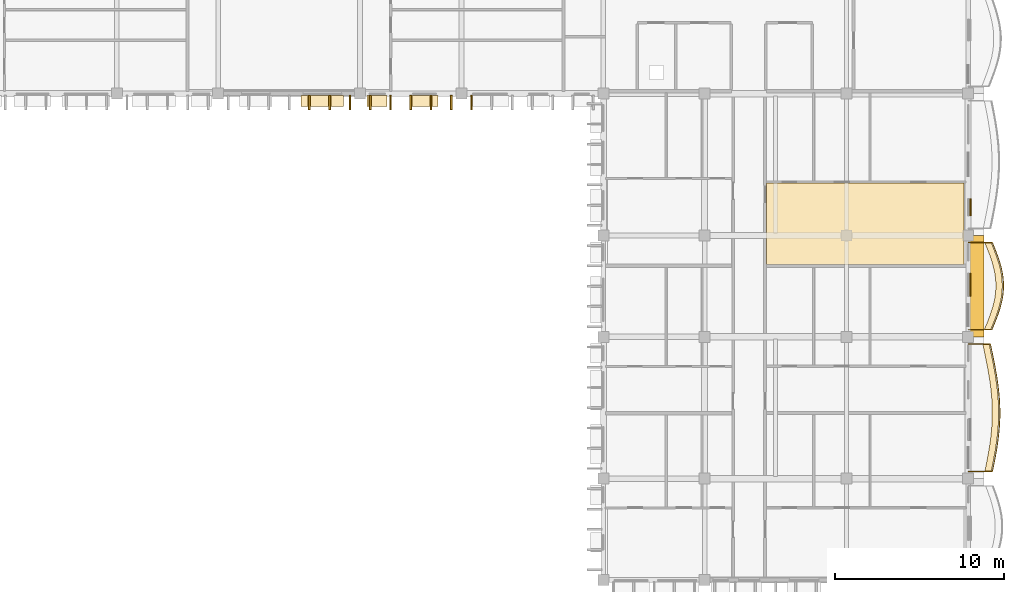
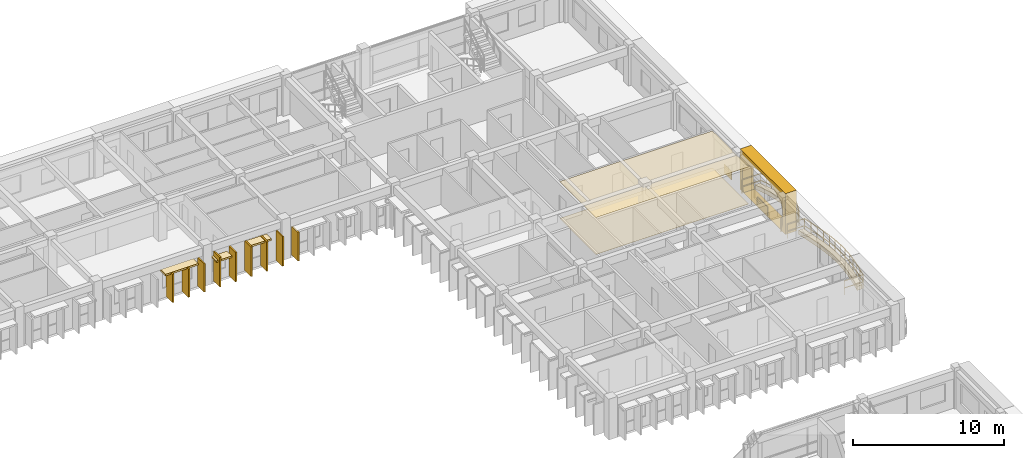
# One storey, part 97 of 101: 19 coverings, 2 railings.
"""IFC4 building model written with IfcOpenShell, lengths in metres."""

from ifc_helpers import new_model, si_unit, direction, frame, origin, origin_2d, place, context, subcontext, project, spatial, polyline, rectangle, outline, extrude, material, layer, layer_set, type_object, element, save


model = new_model("IFC4")

# Units and contexts
model_context = context("Model", 3, precision=1e-05, world=origin(), true_north=direction((0.0, 1.0)))
body_context = subcontext(model_context, "Body", "Model", "MODEL_VIEW")
ifc_project = project(units=[si_unit("LENGTHUNIT", "METRE"), si_unit("AREAUNIT", "SQUARE_METRE"), si_unit("VOLUMEUNIT", "CUBIC_METRE"), si_unit("PLANEANGLEUNIT", "RADIAN"), si_unit("MASSUNIT", "GRAM", prefix="KILO"), si_unit("THERMODYNAMICTEMPERATUREUNIT", "KELVIN")], contexts=[model_context])

# Site, building, storey
site_placement = place(None, origin())
site = spatial("IfcSite", under=ifc_project, at=site_placement, CompositionType="ELEMENT")
building_placement = place(site_placement, origin())
building = spatial("IfcBuilding", under=site, at=building_placement, Name="Thalorik Housing Commons", CompositionType="ELEMENT")
storey_placement = place(building_placement, frame((0.0, 0.0, 8.10009765625)))
storey = spatial("IfcBuildingStorey", under=building, at=storey_placement, Name="L02", CompositionType="ELEMENT", Elevation=8.10009765625)

# Coverings
ifc_material_1 = material(Name="Cobalt blue glazed ceramic facade tile panel", Category="masonry")
ifc_layer_1 = layer(ifc_material_1, 0.06005859375, Name="Cobalt blue glazed ceramic facade tile panel", Category="masonry")
ifc_layer_set_1 = layer_set([ifc_layer_1], Name="Cobalt blue glazed ceramic facade tile panel")
covering_type_1 = type_object("IfcCoveringType", Name="ARC-CLD-BLU-60", PredefinedType="CLADDING", material=ifc_layer_set_1)
covering_1_placement = place(storey_placement, frame((174.137451171875, 97.885009765625, 0.0498046875), z_axis=(0.0, 0.0, 1.0), x_axis=(0.0, 1.0, 0.0)))
element("IfcCovering", 1, at=covering_1_placement, inside=storey, type_object=covering_type_1, Name="L02 De Stijl Recessed Window Spandrel 1845", PredefinedType="CLADDING", context=body_context, shape_type="SweptSolid", body=[
    extrude(rectangle(XDim=1.3798828125, YDim=0.06005859375, at=origin_2d()), origin(), (0.0, 0.0, 1.0), 0.699951171875),
])
ifc_material_2 = material(Name="Precast concrete C40/50", Category="concrete")
ifc_layer_2 = layer(ifc_material_2, 0.85009765625, Name="Precast concrete C40/50", Category="concrete")
ifc_layer_set_2 = layer_set([ifc_layer_2], Name="Precast concrete C40/50")
covering_type_2 = type_object("IfcCoveringType", Name="ARC-CLD-CUSH-850", PredefinedType="CLADDING", material=ifc_layer_set_2)
covering_2_placement = place(storey_placement, frame((174.527587890625, 97.800048828125, 0.0), z_axis=(0.0, 0.0, 1.0), x_axis=(0.0, 1.0, 0.0)))
element("IfcCovering", 2, at=covering_2_placement, inside=storey, type_object=covering_type_2, Name="L02 White Precast Curved Cushion Bay Frame 1844", PredefinedType="CLADDING", context=body_context, shape_type="SweptSolid", body=[
    extrude(outline(polyline([(-3.0, 0.0), (3.0, 0.0), (3.0, 3.300048828125), (-3.0, 3.300048828125), (-3.0, 0.0)]), holes=[polyline([(2.554931640625, 0.02490234375), (2.64892578125, 0.404296875), (2.705322265625, 0.783203125), (2.72412109375, 1.16259765625), (2.705322265625, 1.541748046875), (2.64892578125, 1.9208984375), (2.554931640625, 2.300048828125), (2.1396484375, 2.525390625), (1.72412109375, 2.7021484375), (1.30859375, 2.845458984375), (0.893310546875, 2.951904296875), (0.477783203125, 3.017822265625), (0.0625, 3.0400390625), (-0.352783203125, 3.017822265625), (-0.768310546875, 2.951904296875), (-1.18359375, 2.845458984375), (-1.59912109375, 2.7021484375), (-2.0146484375, 2.525390625), (-2.429931640625, 2.300048828125), (-2.55029296875, 1.9208984375), (-2.62255859375, 1.541748046875), (-2.646484375, 1.16259765625), (-2.62255859375, 0.783203125), (-2.55029296875, 0.404296875), (-2.429931640625, 0.02490234375), (2.554931640625, 0.02490234375)])]), frame((0.0, 0.425048828125, 0.0), z_axis=(0.0, -1.0, 0.0), x_axis=(1.0, 0.0, 0.0)), (0.0, 0.0, 1.0), 0.85009765625),
])
ifc_layer_3 = layer(ifc_material_2, 0.85009765625, Name="Precast concrete C40/50", Category="concrete")
ifc_layer_set_3 = layer_set([ifc_layer_3], Name="Precast concrete C40/50")
covering_type_3 = type_object("IfcCoveringType", Name="ARC-CLD-FIN-850", PredefinedType="CLADDING", material=ifc_layer_set_3)
for number, where, z_axis, x_axis, name in (
    (3, (135.0, 108.672607421875, 0.0400390625), (0.0, 0.0, 1.0), (1.0, 0.0, 0.0), "L02 Courtyard Precast Vertical Brise-Soleil Fin 1759"),
    (4, (136.199951171875, 108.672607421875, 0.0400390625), (0.0, 0.0, 1.0), (1.0, 0.0, 0.0), "L02 Courtyard Precast Vertical Brise-Soleil Fin 1760"),
    (5, (137.39990234375, 108.672607421875, 0.0400390625), (0.0, 0.0, 1.0), (1.0, 0.0, 0.0), "L02 Courtyard Precast Vertical Brise-Soleil Fin 1761"),
):
    element("IfcCovering", number, at=place(storey_placement, frame(where, z_axis=z_axis, x_axis=x_axis)), inside=storey, type_object=covering_type_3, Name=name, PredefinedType="CLADDING", context=body_context, shape_type="SweptSolid", body=[
        extrude(rectangle(XDim=0.110107421875, YDim=0.85009765625, at=origin_2d()), origin(), (0.0, 0.0, 1.0), 2.294921875),
    ])
for number, where, z_axis, x_axis, name in (
    (6, (138.60009765625, 108.672607421875, 0.039794921875), (0.0, 0.0, 1.0), (1.0, 0.0, 0.0), "L02 Courtyard Precast Vertical Brise-Soleil Fin 1764"),
    (7, (139.800048828125, 108.672607421875, 0.039794921875), (0.0, 0.0, 1.0), (1.0, 0.0, 0.0), "L02 Courtyard Precast Vertical Brise-Soleil Fin 1765"),
    (8, (141.0, 108.672607421875, 0.039794921875), (0.0, 0.0, 1.0), (1.0, 0.0, 0.0), "L02 Courtyard Precast Vertical Brise-Soleil Fin 1766"),
    (9, (142.199951171875, 108.672607421875, 0.039794921875), (0.0, 0.0, 1.0), (1.0, 0.0, 0.0), "L02 Courtyard Precast Vertical Brise-Soleil Fin 1767"),
    (10, (143.39990234375, 108.672607421875, 0.039794921875), (0.0, 0.0, 1.0), (1.0, 0.0, 0.0), "L02 Courtyard Precast Vertical Brise-Soleil Fin 1768"),
):
    element("IfcCovering", number, at=place(storey_placement, frame(where, z_axis=z_axis, x_axis=x_axis)), inside=storey, type_object=covering_type_3, Name=name, PredefinedType="CLADDING", context=body_context, shape_type="SweptSolid", body=[
        extrude(rectangle(XDim=0.110107421875, YDim=0.85009765625, at=origin_2d()), origin(), (0.0, 0.0, 1.0), 2.39501953125),
    ])
covering_3_placement = place(storey_placement, frame((144.60009765625, 108.672607421875, 0.0400390625), z_axis=(0.0, 0.0, 1.0), x_axis=(1.0, 0.0, 0.0)))
element("IfcCovering", 11, at=covering_3_placement, inside=storey, type_object=covering_type_3, Name="L02 Courtyard Precast Vertical Brise-Soleil Fin 1771", PredefinedType="CLADDING", context=body_context, shape_type="SweptSolid", body=[
    extrude(rectangle(XDim=0.110107421875, YDim=0.85009765625, at=origin_2d()), origin(), (0.0, 0.0, 1.0), 2.294921875),
])
ifc_layer_4 = layer(ifc_material_2, 0.64990234375, Name="Precast concrete C40/50", Category="concrete")
ifc_layer_set_4 = layer_set([ifc_layer_4], Name="Precast concrete C40/50")
covering_type_4 = type_object("IfcCoveringType", Name="ARC-CLD-HOOD-650", PredefinedType="CLADDING", material=ifc_layer_set_4)
covering_4_placement = place(storey_placement, frame((135.77001953125, 108.7724609375, 2.22509765625), z_axis=(0.0, 0.0, 1.0), x_axis=(1.0, 0.0, 0.0)))
element("IfcCovering", 12, at=covering_4_placement, inside=storey, type_object=covering_type_4, Name="L02 Courtyard Precast Window Sun-Hood 1763", PredefinedType="CLADDING", context=body_context, shape_type="SweptSolid", body=[
    extrude(rectangle(XDim=2.52001953125, YDim=0.64990234375, at=origin_2d()), origin(), (0.0, 0.0, 1.0), 0.139892578125),
])
covering_5_placement = place(storey_placement, frame((139.00244140625, 108.7724609375, 1.93994140625), z_axis=(0.0, 0.0, 1.0), x_axis=(1.0, 0.0, 0.0)))
element("IfcCovering", 13, at=covering_5_placement, inside=storey, type_object=covering_type_4, Name="L02 Courtyard Precast Window Sun-Hood 1769", PredefinedType="CLADDING", context=body_context, shape_type="SweptSolid", body=[
    extrude(rectangle(XDim=1.18994140625, YDim=0.64990234375, at=origin_2d()), origin(), (0.0, 0.0, 1.0), 0.139892578125),
])
covering_6_placement = place(storey_placement, frame((141.8125, 108.7724609375, 2.27001953125), z_axis=(0.0, 0.0, 1.0), x_axis=(1.0, 0.0, 0.0)))
element("IfcCovering", 14, at=covering_6_placement, inside=storey, type_object=covering_type_4, Name="L02 Courtyard Precast Window Sun-Hood 1770", PredefinedType="CLADDING", context=body_context, shape_type="SweptSolid", body=[
    extrude(rectangle(XDim=1.6201171875, YDim=0.64990234375, at=origin_2d()), origin(), (0.0, 0.0, 1.0), 0.139892578125),
])
ifc_material_3 = material(Name="Mineral ochre architectural terracotta panel", Category="masonry")
ifc_layer_5 = layer(ifc_material_3, 0.06494140625, Name="Mineral ochre architectural terracotta panel", Category="masonry")
ifc_layer_set_5 = layer_set([ifc_layer_5], Name="Mineral ochre architectural terracotta panel")
covering_type_5 = type_object("IfcCoveringType", Name="ARC-CLD-YEL-65", PredefinedType="CLADDING", material=ifc_layer_set_5)
covering_7_placement = place(storey_placement, frame((174.139892578125, 102.4765625, 0.0498046875), z_axis=(0.0, 0.0, 1.0), x_axis=(0.0, 1.0, 0.0)))
element("IfcCovering", 15, at=covering_7_placement, inside=storey, type_object=covering_type_5, Name="L02 De Stijl Recessed Window Spandrel 1847", PredefinedType="CLADDING", context=body_context, shape_type="SweptSolid", body=[
    extrude(rectangle(XDim=1.0, YDim=0.06494140625, at=origin_2d()), origin(), (0.0, 0.0, 1.0), 0.699951171875),
])
ifc_material_4 = material(Name="Perforated acoustic gypsum ceiling board")
ifc_layer_6 = layer(ifc_material_4, 0.014892578125, Name="Perforated acoustic gypsum ceiling board")
ifc_layer_set_6 = layer_set([ifc_layer_6], Name="Perforated acoustic gypsum ceiling board")
covering_type_6 = type_object("IfcCoveringType", Name="ARC-COV-CEIL-01", PredefinedType="CEILING", material=ifc_layer_set_6)
covering_8_placement = place(storey_placement, frame((0.0, 0.0, 2.98486328125)))
element("IfcCovering", 16, at=covering_8_placement, inside=storey, type_object=covering_type_6, Name="L02 Living Dining Room Suspended Ceiling", PredefinedType="CEILING", context=body_context, shape_type="SweptSolid", body=[
    extrude(outline(polyline([(173.760009765625, 103.893310546875), (162.06005859375, 103.893310546875), (162.06005859375, 99.080078125), (173.760009765625, 99.080078125), (173.760009765625, 103.893310546875)])), origin(), (0.0, 0.0, 1.0), 0.01513671875),
])
ifc_material_5 = material(Name="Glazed Recife ceramic apartment floor tile")
ifc_layer_7 = layer(ifc_material_5, 0.011962890625, Name="Glazed Recife ceramic apartment floor tile")
ifc_layer_set_7 = layer_set([ifc_layer_7], Name="Glazed Recife ceramic apartment floor tile")
covering_type_7 = type_object("IfcCoveringType", Name="ARC-COV-FLR-01", PredefinedType="FLOORING", material=ifc_layer_set_7)
covering_9_placement = place(storey_placement, origin())
element("IfcCovering", 17, at=covering_9_placement, inside=storey, type_object=covering_type_7, Name="L02 Living Dining Room Flooring", PredefinedType="FLOORING", context=body_context, shape_type="SweptSolid", body=[
    extrude(outline(polyline([(173.760009765625, 103.893310546875), (162.06005859375, 103.893310546875), (162.06005859375, 99.080078125), (173.760009765625, 99.080078125), (173.760009765625, 103.893310546875)])), origin(), (0.0, 0.0, 1.0), 0.011962890625),
])
ifc_material_6 = material(Name="Planted vegetated substrate and terracotta trough", Category="masonry")
ifc_layer_8 = layer(ifc_material_6, 0.340087890625, Name="Planted vegetated substrate and terracotta trough", Category="masonry")
ifc_layer_set_8 = layer_set([ifc_layer_8], Name="Planted vegetated substrate and terracotta trough")
covering_type_8 = type_object("IfcCoveringType", Name="ARC-COV-PLANTER", PredefinedType="USERDEFINED", material=ifc_layer_set_8)
covering_10_placement = place(storey_placement, origin())
element("IfcCovering", 18, at=covering_10_placement, inside=storey, type_object=covering_type_8, Name="L02 Balcony Slab-Edge Planted Trough 5431", ObjectType="PLANTER", PredefinedType="USERDEFINED", context=body_context, shape_type="SweptSolid", body=[
    extrude(outline(polyline([(175.366455078125, 86.820068359375), (175.49560546875, 87.449951171875), (175.611083984375, 88.080078125), (175.70556640625, 88.7099609375), (175.772216796875, 89.340087890625), (175.80712890625, 89.969970703125), (175.807861328125, 90.60009765625), (175.77490234375, 91.22998046875), (175.7099609375, 91.860107421875), (175.6181640625, 92.489990234375), (175.505126953125, 93.1201171875), (175.37890625, 93.75), (175.247802734375, 94.3798828125), (174.867919921875, 94.3798828125), (174.998779296875, 93.75), (175.125244140625, 93.1201171875), (175.238037109375, 92.489990234375), (175.330078125, 91.860107421875), (175.394775390625, 91.22998046875), (175.427978515625, 90.60009765625), (175.427001953125, 89.969970703125), (175.39208984375, 89.340087890625), (175.325439453125, 88.7099609375), (175.231201171875, 88.080078125), (175.115478515625, 87.449951171875), (174.986328125, 86.820068359375), (175.366455078125, 86.820068359375)])), origin(), (0.0, 0.0, 1.0), 0.33984375),
])
covering_11_placement = place(storey_placement, origin())
element("IfcCovering", 19, at=covering_11_placement, inside=storey, type_object=covering_type_8, Name="L02 Balcony Slab-Edge Planted Trough 5432", ObjectType="PLANTER", PredefinedType="USERDEFINED", context=body_context, shape_type="SweptSolid", body=[
    extrude(outline(polyline([(175.335693359375, 95.219970703125), (175.5146484375, 95.64990234375), (175.6806640625, 96.080078125), (175.8232421875, 96.510009765625), (175.93310546875, 96.93994140625), (176.003173828125, 97.3701171875), (176.029052734375, 97.800048828125), (176.009033203125, 98.22998046875), (175.944580078125, 98.659912109375), (175.83984375, 99.090087890625), (175.701904296875, 99.52001953125), (175.539794921875, 99.949951171875), (175.36376953125, 100.3798828125), (174.98388671875, 100.3798828125), (175.15966796875, 99.949951171875), (175.322021484375, 99.52001953125), (175.459716796875, 99.090087890625), (175.564453125, 98.659912109375), (175.62890625, 98.22998046875), (175.64892578125, 97.800048828125), (175.623291015625, 97.3701171875), (175.552978515625, 96.93994140625), (175.443115234375, 96.510009765625), (175.30078125, 96.080078125), (175.134521484375, 95.64990234375), (174.955810546875, 95.219970703125), (175.335693359375, 95.219970703125)])), origin(), (0.0, 0.0, 1.0), 0.33984375),
])

# Railings
ifc_material_7 = material(Name="Steel S355", Category="steel")
railing_type_1 = type_object("IfcRailingType", Name="ARC-RL-BAL-112", PredefinedType="BALUSTRADE", material=ifc_material_7)
railing_1_placement = place(storey_placement, frame((174.0, 95.219970703125, 0.0)))
element("IfcRailing", 20, at=railing_1_placement, inside=storey, type_object=railing_type_1, Name="L02 Cushion Balcony Guardrail 116", PredefinedType="BALUSTRADE", context=body_context, shape_type="SweptSolid", body=[
    extrude(rectangle(XDim=0.050048828125, YDim=0.050048828125, at=origin_2d()), frame((0.0, 0.0, 1.09521484375), z_axis=(1.0, 0.0, 0.0), x_axis=(0.0, 1.0, 0.0)), (0.0, 0.0, 1.0), 1.40576171875),
    extrude(rectangle(XDim=0.050048828125, YDim=0.050048828125, at=origin_2d()), frame((0.0, 0.0, 0.53515625), z_axis=(1.0, 0.0, 0.0), x_axis=(0.0, 1.0, 0.0)), (0.0, 0.0, 1.0), 1.40576171875),
    extrude(rectangle(XDim=0.050048828125, YDim=0.050048828125, at=origin_2d()), frame((1.40576171875, 0.0, 1.09521484375), z_axis=(0.384280331184, 0.923216457319, 0.0), x_axis=(-0.923216457319, 0.384280331184, 0.0)), (0.0, 0.0, 1.0), 0.465576171875),
    extrude(rectangle(XDim=0.050048828125, YDim=0.050048828125, at=origin_2d()), frame((1.40576171875, 0.0, 0.53515625), z_axis=(0.384280331184, 0.923216457319, 0.0), x_axis=(-0.923216457319, 0.384280331184, 0.0)), (0.0, 0.0, 1.0), 0.465576171875),
    extrude(rectangle(XDim=0.050048828125, YDim=0.050048828125, at=origin_2d()), frame((1.584716796875, 0.429931640625, 1.09521484375), z_axis=(0.36004325513, 0.932935611088, 0.0), x_axis=(-0.932935611088, 0.36004325513, 0.0)), (0.0, 0.0, 1.0), 0.461181640625),
    extrude(rectangle(XDim=0.050048828125, YDim=0.050048828125, at=origin_2d()), frame((1.584716796875, 0.429931640625, 0.53515625), z_axis=(0.36004325513, 0.932935611088, 0.0), x_axis=(-0.932935611088, 0.36004325513, 0.0)), (0.0, 0.0, 1.0), 0.461181640625),
    extrude(rectangle(XDim=0.050048828125, YDim=0.050048828125, at=origin_2d()), frame((1.750732421875, 0.860107421875, 1.09521484375), z_axis=(0.314772111925, 0.949167275855, 0.0), x_axis=(-0.949167275855, 0.314772111925, 0.0)), (0.0, 0.0, 1.0), 0.452880859375),
    extrude(rectangle(XDim=0.050048828125, YDim=0.050048828125, at=origin_2d()), frame((1.750732421875, 0.860107421875, 0.53515625), z_axis=(0.314772111925, 0.949167275855, 0.0), x_axis=(-0.949167275855, 0.314772111925, 0.0)), (0.0, 0.0, 1.0), 0.452880859375),
    extrude(rectangle(XDim=0.050048828125, YDim=0.050048828125, at=origin_2d()), frame((1.893310546875, 1.2900390625, 1.09521484375), z_axis=(0.247581052426, 0.96886718516, 0.0), x_axis=(-0.96886718516, 0.247581052426, 0.0)), (0.0, 0.0, 1.0), 0.44384765625),
    extrude(rectangle(XDim=0.050048828125, YDim=0.050048828125, at=origin_2d()), frame((1.893310546875, 1.2900390625, 0.53515625), z_axis=(0.247581052426, 0.96886718516, 0.0), x_axis=(-0.96886718516, 0.247581052426, 0.0)), (0.0, 0.0, 1.0), 0.44384765625),
    extrude(rectangle(XDim=0.050048828125, YDim=0.050048828125, at=origin_2d()), frame((2.003173828125, 1.719970703125, 1.09521484375), z_axis=(0.160764435257, 0.986992804612, 0.0), x_axis=(-0.986992804612, 0.160764435257, 0.0)), (0.0, 0.0, 1.0), 0.435791015625),
    extrude(rectangle(XDim=0.050048828125, YDim=0.050048828125, at=origin_2d()), frame((2.003173828125, 1.719970703125, 0.53515625), z_axis=(0.160764435257, 0.986992804612, 0.0), x_axis=(-0.986992804612, 0.160764435257, 0.0)), (0.0, 0.0, 1.0), 0.435791015625),
    extrude(rectangle(XDim=0.050048828125, YDim=0.050048828125, at=origin_2d()), frame((2.0732421875, 2.150146484375, 1.09521484375), z_axis=(0.0600843216, 0.998193305076, 0.0), x_axis=(-0.998193305076, 0.0600843216, 0.0)), (0.0, 0.0, 1.0), 0.4306640625),
    extrude(rectangle(XDim=0.050048828125, YDim=0.050048828125, at=origin_2d()), frame((2.0732421875, 2.150146484375, 0.53515625), z_axis=(0.0600843216, 0.998193305076, 0.0), x_axis=(-0.998193305076, 0.0600843216, 0.0)), (0.0, 0.0, 1.0), 0.4306640625),
    extrude(rectangle(XDim=0.050048828125, YDim=0.050048828125, at=origin_2d()), frame((2.09912109375, 2.580078125, 1.09521484375), z_axis=(-0.046514052316, 0.998917635712, 0.0), x_axis=(-0.998917635712, -0.046514052316, 0.0)), (0.0, 0.0, 1.0), 0.430419921875),
    extrude(rectangle(XDim=0.050048828125, YDim=0.050048828125, at=origin_2d()), frame((2.09912109375, 2.580078125, 0.53515625), z_axis=(-0.046514052316, 0.998917635712, 0.0), x_axis=(-0.998917635712, -0.046514052316, 0.0)), (0.0, 0.0, 1.0), 0.430419921875),
    extrude(rectangle(XDim=0.050048828125, YDim=0.050048828125, at=origin_2d()), frame((2.0791015625, 3.010009765625, 1.09521484375), z_axis=(-0.148807239573, 0.988866222221, 0.0), x_axis=(-0.988866222221, -0.148807239573, 0.0)), (0.0, 0.0, 1.0), 0.434814453125),
    extrude(rectangle(XDim=0.050048828125, YDim=0.050048828125, at=origin_2d()), frame((2.0791015625, 3.010009765625, 0.53515625), z_axis=(-0.148807239573, 0.988866222221, 0.0), x_axis=(-0.988866222221, -0.148807239573, 0.0)), (0.0, 0.0, 1.0), 0.434814453125),
    extrude(rectangle(XDim=0.050048828125, YDim=0.050048828125, at=origin_2d()), frame((2.014404296875, 3.43994140625, 1.09521484375), z_axis=(-0.236041966504, 0.971742862103, 0.0), x_axis=(-0.971742862103, -0.236041966504, 0.0)), (0.0, 0.0, 1.0), 0.442626953125),
    extrude(rectangle(XDim=0.050048828125, YDim=0.050048828125, at=origin_2d()), frame((2.014404296875, 3.43994140625, 0.53515625), z_axis=(-0.236041966504, 0.971742862103, 0.0), x_axis=(-0.971742862103, -0.236041966504, 0.0)), (0.0, 0.0, 1.0), 0.442626953125),
    extrude(rectangle(XDim=0.050048828125, YDim=0.050048828125, at=origin_2d()), frame((1.909912109375, 3.8701171875, 1.09521484375), z_axis=(-0.305501556453, 0.95219157684, 0.0), x_axis=(-0.95219157684, -0.305501556453, 0.0)), (0.0, 0.0, 1.0), 0.451416015625),
    extrude(rectangle(XDim=0.050048828125, YDim=0.050048828125, at=origin_2d()), frame((1.909912109375, 3.8701171875, 0.53515625), z_axis=(-0.305501556453, 0.95219157684, 0.0), x_axis=(-0.95219157684, -0.305501556453, 0.0)), (0.0, 0.0, 1.0), 0.451416015625),
    extrude(rectangle(XDim=0.050048828125, YDim=0.050048828125, at=origin_2d()), frame((1.77197265625, 4.300048828125, 1.09521484375), z_axis=(-0.353276593611, 0.935518919321, 0.0), x_axis=(-0.935518919321, -0.353276593611, 0.0)), (0.0, 0.0, 1.0), 0.45947265625),
    extrude(rectangle(XDim=0.050048828125, YDim=0.050048828125, at=origin_2d()), frame((1.77197265625, 4.300048828125, 0.53515625), z_axis=(-0.353276593611, 0.935518919321, 0.0), x_axis=(-0.935518919321, -0.353276593611, 0.0)), (0.0, 0.0, 1.0), 0.45947265625),
    extrude(rectangle(XDim=0.050048828125, YDim=0.050048828125, at=origin_2d()), frame((1.609619140625, 4.72998046875, 1.09521484375), z_axis=(-0.378448637558, 0.925622292693, 0.0), x_axis=(-0.925622292693, -0.378448637558, 0.0)), (0.0, 0.0, 1.0), 0.464599609375),
    extrude(rectangle(XDim=0.050048828125, YDim=0.050048828125, at=origin_2d()), frame((1.609619140625, 4.72998046875, 0.53515625), z_axis=(-0.378448637558, 0.925622292693, 0.0), x_axis=(-0.925622292693, -0.378448637558, 0.0)), (0.0, 0.0, 1.0), 0.464599609375),
    extrude(rectangle(XDim=0.050048828125, YDim=0.050048828125, at=origin_2d()), frame((1.433837890625, 5.159912109375, 1.09521484375), z_axis=(-1.0, 0.0, 0.0), x_axis=(0.0, -1.0, 0.0)), (0.0, 0.0, 1.0), 1.433837890625),
    extrude(rectangle(XDim=0.050048828125, YDim=0.050048828125, at=origin_2d()), frame((1.433837890625, 5.159912109375, 0.53515625), z_axis=(-1.0, 0.0, 0.0), x_axis=(0.0, -1.0, 0.0)), (0.0, 0.0, 1.0), 1.433837890625),
    extrude(rectangle(XDim=0.0419921875, YDim=0.0419921875, at=origin_2d()), origin(), (0.0, 0.0, 1.0), 1.070068359375),
    extrude(rectangle(XDim=0.0419921875, YDim=0.0419921875, at=origin_2d()), frame((1.40576171875, 0.0, 0.0)), (0.0, 0.0, 1.0), 1.070068359375),
    extrude(rectangle(XDim=0.0419921875, YDim=0.0419921875, at=origin_2d()), frame((1.584716796875, 0.429931640625, 0.0)), (0.0, 0.0, 1.0), 1.070068359375),
    extrude(rectangle(XDim=0.0419921875, YDim=0.0419921875, at=origin_2d()), frame((1.750732421875, 0.860107421875, 0.0)), (0.0, 0.0, 1.0), 1.070068359375),
    extrude(rectangle(XDim=0.0419921875, YDim=0.0419921875, at=origin_2d()), frame((1.893310546875, 1.2900390625, 0.0)), (0.0, 0.0, 1.0), 1.070068359375),
    extrude(rectangle(XDim=0.0419921875, YDim=0.0419921875, at=origin_2d()), frame((2.003173828125, 1.719970703125, 0.0)), (0.0, 0.0, 1.0), 1.070068359375),
    extrude(rectangle(XDim=0.0419921875, YDim=0.0419921875, at=origin_2d()), frame((2.0732421875, 2.150146484375, 0.0)), (0.0, 0.0, 1.0), 1.070068359375),
    extrude(rectangle(XDim=0.0419921875, YDim=0.0419921875, at=origin_2d()), frame((2.09912109375, 2.580078125, 0.0)), (0.0, 0.0, 1.0), 1.070068359375),
    extrude(rectangle(XDim=0.0419921875, YDim=0.0419921875, at=origin_2d()), frame((2.0791015625, 3.010009765625, 0.0)), (0.0, 0.0, 1.0), 1.070068359375),
    extrude(rectangle(XDim=0.0419921875, YDim=0.0419921875, at=origin_2d()), frame((2.014404296875, 3.43994140625, 0.0)), (0.0, 0.0, 1.0), 1.070068359375),
    extrude(rectangle(XDim=0.0419921875, YDim=0.0419921875, at=origin_2d()), frame((1.909912109375, 3.8701171875, 0.0)), (0.0, 0.0, 1.0), 1.070068359375),
    extrude(rectangle(XDim=0.0419921875, YDim=0.0419921875, at=origin_2d()), frame((1.77197265625, 4.300048828125, 0.0)), (0.0, 0.0, 1.0), 1.070068359375),
    extrude(rectangle(XDim=0.0419921875, YDim=0.0419921875, at=origin_2d()), frame((1.609619140625, 4.72998046875, 0.0)), (0.0, 0.0, 1.0), 1.070068359375),
    extrude(rectangle(XDim=0.0419921875, YDim=0.0419921875, at=origin_2d()), frame((1.433837890625, 5.159912109375, 0.0)), (0.0, 0.0, 1.0), 1.070068359375),
    extrude(rectangle(XDim=0.0419921875, YDim=0.0419921875, at=origin_2d()), frame((0.0, 5.159912109375, 0.0)), (0.0, 0.0, 1.0), 1.070068359375),
])
railing_type_2 = type_object("IfcRailingType", Name="ARC-RL-BAL-115", PredefinedType="BALUSTRADE", material=ifc_material_7)
railing_2_placement = place(storey_placement, frame((174.0, 86.820068359375, 0.0)))
element("IfcRailing", 21, at=railing_2_placement, inside=storey, type_object=railing_type_2, Name="L02 Cushion Balcony Guardrail 115", PredefinedType="BALUSTRADE", context=body_context, shape_type="SweptSolid", body=[
    extrude(rectangle(XDim=0.050048828125, YDim=0.050048828125, at=origin_2d()), frame((0.0, 0.0, 1.125), z_axis=(1.0, 0.0, 0.0), x_axis=(0.0, 1.0, 0.0)), (0.0, 0.0, 1.0), 1.436279296875),
    extrude(rectangle(XDim=0.050048828125, YDim=0.050048828125, at=origin_2d()), frame((0.0, 0.0, 0.5498046875), z_axis=(1.0, 0.0, 0.0), x_axis=(0.0, 1.0, 0.0)), (0.0, 0.0, 1.0), 1.436279296875),
    extrude(rectangle(XDim=0.050048828125, YDim=0.050048828125, at=origin_2d()), frame((1.436279296875, 0.0, 1.125), z_axis=(0.201224395652, 0.979545171288, 0.0), x_axis=(-0.979545171288, 0.201224395652, 0.0)), (0.0, 0.0, 1.0), 0.64306640625),
    extrude(rectangle(XDim=0.050048828125, YDim=0.050048828125, at=origin_2d()), frame((1.436279296875, 0.0, 0.5498046875), z_axis=(0.201224395652, 0.979545171288, 0.0), x_axis=(-0.979545171288, 0.201224395652, 0.0)), (0.0, 0.0, 1.0), 0.64306640625),
    extrude(rectangle(XDim=0.050048828125, YDim=0.050048828125, at=origin_2d()), frame((1.565673828125, 0.6298828125, 1.125), z_axis=(0.180260272092, 0.983618947716, 0.0), x_axis=(-0.983618947716, 0.180260272092, 0.0)), (0.0, 0.0, 1.0), 0.640625),
    extrude(rectangle(XDim=0.050048828125, YDim=0.050048828125, at=origin_2d()), frame((1.565673828125, 0.6298828125, 0.5498046875), z_axis=(0.180260272092, 0.983618947716, 0.0), x_axis=(-0.983618947716, 0.180260272092, 0.0)), (0.0, 0.0, 1.0), 0.640625),
    extrude(rectangle(XDim=0.050048828125, YDim=0.050048828125, at=origin_2d()), frame((1.68115234375, 1.260009765625, 1.125), z_axis=(0.147965546983, 0.988992516102, 0.0), x_axis=(-0.988992516102, 0.147965546983, 0.0)), (0.0, 0.0, 1.0), 0.636962890625),
    extrude(rectangle(XDim=0.050048828125, YDim=0.050048828125, at=origin_2d()), frame((1.68115234375, 1.260009765625, 0.5498046875), z_axis=(0.147965546983, 0.988992516102, 0.0), x_axis=(-0.988992516102, 0.147965546983, 0.0)), (0.0, 0.0, 1.0), 0.636962890625),
    extrude(rectangle(XDim=0.050048828125, YDim=0.050048828125, at=origin_2d()), frame((1.775390625, 1.889892578125, 1.125), z_axis=(0.105567196826, 0.994412171564, 0.0), x_axis=(-0.994412171564, 0.105567196826, 0.0)), (0.0, 0.0, 1.0), 0.6337890625),
    extrude(rectangle(XDim=0.050048828125, YDim=0.050048828125, at=origin_2d()), frame((1.775390625, 1.889892578125, 0.5498046875), z_axis=(0.105567196826, 0.994412171564, 0.0), x_axis=(-0.994412171564, 0.105567196826, 0.0)), (0.0, 0.0, 1.0), 0.6337890625),
    extrude(rectangle(XDim=0.050048828125, YDim=0.050048828125, at=origin_2d()), frame((1.84228515625, 2.52001953125, 1.125), z_axis=(0.055341415121, 0.998467489592, 0.0), x_axis=(-0.998467489592, 0.055341415121, 0.0)), (0.0, 0.0, 1.0), 0.630859375),
    extrude(rectangle(XDim=0.050048828125, YDim=0.050048828125, at=origin_2d()), frame((1.84228515625, 2.52001953125, 0.5498046875), z_axis=(0.055341415121, 0.998467489592, 0.0), x_axis=(-0.998467489592, 0.055341415121, 0.0)), (0.0, 0.0, 1.0), 0.630859375),
    extrude(rectangle(XDim=0.050048828125, YDim=0.050048828125, at=origin_2d()), frame((1.877197265625, 3.14990234375, 1.125), z_axis=(0.001162339393, 0.999999324483, 0.0), x_axis=(-0.999999324483, 0.001162339393, 0.0)), (0.0, 0.0, 1.0), 0.630126953125),
    extrude(rectangle(XDim=0.050048828125, YDim=0.050048828125, at=origin_2d()), frame((1.877197265625, 3.14990234375, 0.5498046875), z_axis=(0.001162339393, 0.999999324483, 0.0), x_axis=(-0.999999324483, 0.001162339393, 0.0)), (0.0, 0.0, 1.0), 0.630126953125),
    extrude(rectangle(XDim=0.050048828125, YDim=0.050048828125, at=origin_2d()), frame((1.8779296875, 3.780029296875, 1.125), z_axis=(-0.052640094062, 0.998613549126, 0.0), x_axis=(-0.998613549126, -0.052640094062, 0.0)), (0.0, 0.0, 1.0), 0.630859375),
    extrude(rectangle(XDim=0.050048828125, YDim=0.050048828125, at=origin_2d()), frame((1.8779296875, 3.780029296875, 0.5498046875), z_axis=(-0.052640094062, 0.998613549126, 0.0), x_axis=(-0.998613549126, -0.052640094062, 0.0)), (0.0, 0.0, 1.0), 0.630859375),
    extrude(rectangle(XDim=0.050048828125, YDim=0.050048828125, at=origin_2d()), frame((1.8447265625, 4.409912109375, 1.125), z_axis=(-0.102136441616, 0.994770399285, 0.0), x_axis=(-0.994770399285, -0.102136441616, 0.0)), (0.0, 0.0, 1.0), 0.633544921875),
    extrude(rectangle(XDim=0.050048828125, YDim=0.050048828125, at=origin_2d()), frame((1.8447265625, 4.409912109375, 0.5498046875), z_axis=(-0.102136441616, 0.994770399285, 0.0), x_axis=(-0.994770399285, -0.102136441616, 0.0)), (0.0, 0.0, 1.0), 0.633544921875),
    extrude(rectangle(XDim=0.050048828125, YDim=0.050048828125, at=origin_2d()), frame((1.780029296875, 5.0400390625, 1.125), z_axis=(-0.144588540195, 0.989491866588, 0.0), x_axis=(-0.989491866588, -0.144588540195, 0.0)), (0.0, 0.0, 1.0), 0.636474609375),
    extrude(rectangle(XDim=0.050048828125, YDim=0.050048828125, at=origin_2d()), frame((1.780029296875, 5.0400390625, 0.5498046875), z_axis=(-0.144588540195, 0.989491866588, 0.0), x_axis=(-0.989491866588, -0.144588540195, 0.0)), (0.0, 0.0, 1.0), 0.636474609375),
    extrude(rectangle(XDim=0.050048828125, YDim=0.050048828125, at=origin_2d()), frame((1.68798828125, 5.669921875, 1.125), z_axis=(-0.17619982242, 0.98435441919, 0.0), x_axis=(-0.98435441919, -0.17619982242, 0.0)), (0.0, 0.0, 1.0), 0.64013671875),
    extrude(rectangle(XDim=0.050048828125, YDim=0.050048828125, at=origin_2d()), frame((1.68798828125, 5.669921875, 0.5498046875), z_axis=(-0.17619982242, 0.98435441919, 0.0), x_axis=(-0.98435441919, -0.17619982242, 0.0)), (0.0, 0.0, 1.0), 0.64013671875),
    extrude(rectangle(XDim=0.050048828125, YDim=0.050048828125, at=origin_2d()), frame((1.5751953125, 6.300048828125, 1.125), z_axis=(-0.196481546208, 0.980507522663, 0.0), x_axis=(-0.980507522663, -0.196481546208, 0.0)), (0.0, 0.0, 1.0), 0.642333984375),
    extrude(rectangle(XDim=0.050048828125, YDim=0.050048828125, at=origin_2d()), frame((1.5751953125, 6.300048828125, 0.5498046875), z_axis=(-0.196481546208, 0.980507522663, 0.0), x_axis=(-0.980507522663, -0.196481546208, 0.0)), (0.0, 0.0, 1.0), 0.642333984375),
    extrude(rectangle(XDim=0.050048828125, YDim=0.050048828125, at=origin_2d()), frame((1.448974609375, 6.929931640625, 1.125), z_axis=(-0.203772410723, 0.979018286156, 0.0), x_axis=(-0.979018286156, -0.203772410723, 0.0)), (0.0, 0.0, 1.0), 0.643310546875),
    extrude(rectangle(XDim=0.050048828125, YDim=0.050048828125, at=origin_2d()), frame((1.448974609375, 6.929931640625, 0.5498046875), z_axis=(-0.203772410723, 0.979018286156, 0.0), x_axis=(-0.979018286156, -0.203772410723, 0.0)), (0.0, 0.0, 1.0), 0.643310546875),
    extrude(rectangle(XDim=0.050048828125, YDim=0.050048828125, at=origin_2d()), frame((1.31787109375, 7.559814453125, 1.125), z_axis=(-1.0, 0.0, 0.0), x_axis=(0.0, -1.0, 0.0)), (0.0, 0.0, 1.0), 1.31787109375),
    extrude(rectangle(XDim=0.050048828125, YDim=0.050048828125, at=origin_2d()), frame((1.31787109375, 7.559814453125, 0.5498046875), z_axis=(-1.0, 0.0, 0.0), x_axis=(0.0, -1.0, 0.0)), (0.0, 0.0, 1.0), 1.31787109375),
    extrude(rectangle(XDim=0.0419921875, YDim=0.0419921875, at=origin_2d()), origin(), (0.0, 0.0, 1.0), 1.099853515625),
    extrude(rectangle(XDim=0.0419921875, YDim=0.0419921875, at=origin_2d()), frame((1.436279296875, 0.0, 0.0)), (0.0, 0.0, 1.0), 1.099853515625),
    extrude(rectangle(XDim=0.0419921875, YDim=0.0419921875, at=origin_2d()), frame((1.565673828125, 0.6298828125, 0.0)), (0.0, 0.0, 1.0), 1.099853515625),
    extrude(rectangle(XDim=0.0419921875, YDim=0.0419921875, at=origin_2d()), frame((1.68115234375, 1.260009765625, 0.0)), (0.0, 0.0, 1.0), 1.099853515625),
    extrude(rectangle(XDim=0.0419921875, YDim=0.0419921875, at=origin_2d()), frame((1.775390625, 1.889892578125, 0.0)), (0.0, 0.0, 1.0), 1.099853515625),
    extrude(rectangle(XDim=0.0419921875, YDim=0.0419921875, at=origin_2d()), frame((1.84228515625, 2.52001953125, 0.0)), (0.0, 0.0, 1.0), 1.099853515625),
    extrude(rectangle(XDim=0.0419921875, YDim=0.0419921875, at=origin_2d()), frame((1.877197265625, 3.14990234375, 0.0)), (0.0, 0.0, 1.0), 1.099853515625),
    extrude(rectangle(XDim=0.0419921875, YDim=0.0419921875, at=origin_2d()), frame((1.8779296875, 3.780029296875, 0.0)), (0.0, 0.0, 1.0), 1.099853515625),
    extrude(rectangle(XDim=0.0419921875, YDim=0.0419921875, at=origin_2d()), frame((1.8447265625, 4.409912109375, 0.0)), (0.0, 0.0, 1.0), 1.099853515625),
    extrude(rectangle(XDim=0.0419921875, YDim=0.0419921875, at=origin_2d()), frame((1.780029296875, 5.0400390625, 0.0)), (0.0, 0.0, 1.0), 1.099853515625),
    extrude(rectangle(XDim=0.0419921875, YDim=0.0419921875, at=origin_2d()), frame((1.68798828125, 5.669921875, 0.0)), (0.0, 0.0, 1.0), 1.099853515625),
    extrude(rectangle(XDim=0.0419921875, YDim=0.0419921875, at=origin_2d()), frame((1.5751953125, 6.300048828125, 0.0)), (0.0, 0.0, 1.0), 1.099853515625),
    extrude(rectangle(XDim=0.0419921875, YDim=0.0419921875, at=origin_2d()), frame((1.448974609375, 6.929931640625, 0.0)), (0.0, 0.0, 1.0), 1.099853515625),
    extrude(rectangle(XDim=0.0419921875, YDim=0.0419921875, at=origin_2d()), frame((1.31787109375, 7.559814453125, 0.0)), (0.0, 0.0, 1.0), 1.099853515625),
    extrude(rectangle(XDim=0.0419921875, YDim=0.0419921875, at=origin_2d()), frame((0.0, 7.559814453125, 0.0)), (0.0, 0.0, 1.0), 1.099853515625),
])

save(model, "model.ifc")
